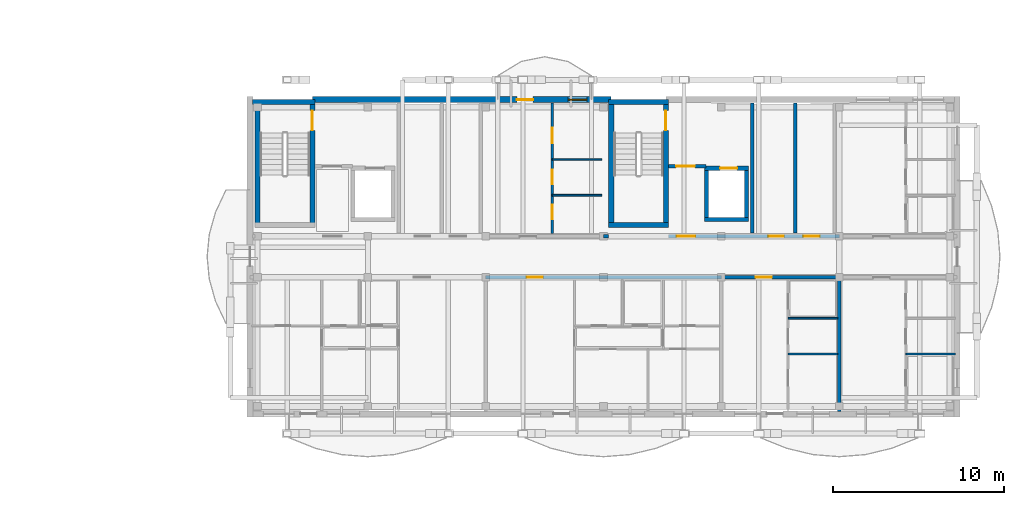
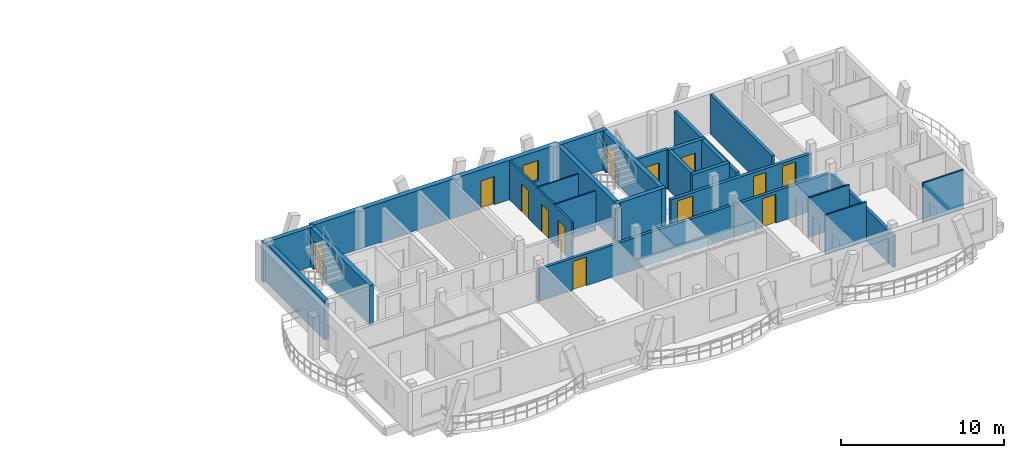
# One storey, part 28 of 44: 26 walls, 13 doors, 1 window, 14 openings.
"""IFC4 building model written with IfcOpenShell, lengths in metres."""

from ifc_helpers import new_model, si_unit, direction, frame, frame_2d, origin, origin_with_axes, place, context, subcontext, project, spatial, rectangle, extrude, material, layer, layer_set, type_object, element, fill, save


model = new_model("IFC4")

# Units and contexts
model_context = context("Model", 3, precision=1e-05, world=origin(), true_north=direction((0.0, 1.0)))
body_context = subcontext(model_context, "Body", "Model", "MODEL_VIEW")
ifc_project = project(units=[si_unit("LENGTHUNIT", "METRE"), si_unit("AREAUNIT", "SQUARE_METRE"), si_unit("VOLUMEUNIT", "CUBIC_METRE"), si_unit("PLANEANGLEUNIT", "RADIAN"), si_unit("MASSUNIT", "GRAM", prefix="KILO")], contexts=[model_context])

# Site, building, storey
site_placement = place(None, origin())
site = spatial("IfcSite", under=ifc_project, at=site_placement, CompositionType="ELEMENT")
building_placement = place(site_placement, origin())
building = spatial("IfcBuilding", under=site, at=building_placement, Name="Zavelmont Quarter", CompositionType="ELEMENT")
storey_placement = place(building_placement, frame((0.0, 0.0, 20.800048828125)))
storey = spatial("IfcBuildingStorey", under=building, at=storey_placement, Name="L06", CompositionType="ELEMENT", Elevation=20.800048828125)

# Wall, openings, door, window
ifc_material_1 = material(Name="Natural Belgian limestone", Category="masonry")
ifc_layer_1 = layer(ifc_material_1, 0.340087890625)
ifc_layer_set_1 = layer_set([ifc_layer_1], Name="Natural Belgian limestone")
wall_type_1 = type_object("IfcWallType", Name="EW03", PredefinedType="STANDARD", material=ifc_layer_set_1)
wall_1_placement = place(storey_placement, frame((130.25, 18.39990234375, 0.0), z_axis=(0.0, 0.0, 1.0), x_axis=(1.0, 0.0, 0.0)))
wall_1 = element("IfcWall", 1, at=wall_1_placement, inside=storey, type_object=wall_type_1, Name="L06 exterior limestone wall EW03", PredefinedType="STANDARD", context=body_context, shape_type="SweptSolid", body=[
    extrude(rectangle(XDim=17.5, YDim=0.340087890625, at=frame_2d((8.75, 0.0))), origin(), (0.0, 0.0, 1.0), 2.949951171875),
])
opening_1_placement = place(wall_1_placement, frame((11.980712890625, 0.0, 0.0)))
opening_1 = element("IfcOpeningElement", 2, at=opening_1_placement, cuts=wall_1, Name="Opening DR04", PredefinedType="OPENING", context=body_context, shape_type="SweptSolid", body=[
    extrude(rectangle(XDim=0.949951171875, YDim=2.10009765625, at=frame_2d((0.47509765625, 1.050048828125))), frame((0.0, 0.18212890625, 0.0), z_axis=(0.0, -1.0, 0.0), x_axis=(1.0, 0.0, 0.0)), (0.0, 0.0, 1.0), 0.364013671875),
])
opening_2_placement = place(wall_1_placement, frame((14.969970703125, 0.0, 0.719970703125)))
opening_2 = element("IfcOpeningElement", 3, at=opening_2_placement, cuts=wall_1, Name="Opening WN09", PredefinedType="OPENING", context=body_context, shape_type="SweptSolid", body=[
    extrude(rectangle(XDim=1.10009765625, YDim=1.5, at=frame_2d((0.550048828125, 0.75))), frame((0.0, 0.18212890625, 0.0), z_axis=(0.0, -1.0, 0.0), x_axis=(1.0, 0.0, 0.0)), (0.0, 0.0, 1.0), 0.364013671875),
])
ifc_material_2 = material(Name="Thermally broken aluminium and double safety glass", Category="aluminium")
door_type_1 = type_object("IfcDoorType", Name="DR04", OperationType="NOTDEFINED", PredefinedType="DOOR", material=ifc_material_2)
door_1_placement = place(opening_1_placement, frame((0.949951171875, 0.0, 0.0), z_axis=(0.0, 0.0, 1.0), x_axis=(-1.0, 0.0, 0.0)))
door_1 = element("IfcDoor", 4, at=door_1_placement, inside=storey, type_object=door_type_1, Name="Block D L06 glazed balcony door", OperationType="SINGLE_SWING_LEFT", OverallHeight=2.10009765625, OverallWidth=0.949951171875, PredefinedType="DOOR", context=body_context, shape_type="SweptSolid", body=[
    extrude(rectangle(XDim=0.949951171875, YDim=2.10009765625, at=frame_2d((0.47509765625, 1.050048828125))), frame((0.0, 0.02490234375, 0.0), z_axis=(0.0, -1.0, 0.0), x_axis=(1.0, 0.0, 0.0)), (0.0, 0.0, 1.0), 0.050048828125),
])
fill(opening_1, door_1)
ifc_material_3 = material(Name="Double low-E insulated glazing in thermally broken aluminium frame", Category="aluminium")
window_type = type_object("IfcWindowType", Name="WN09", PartitioningType="SINGLE_PANEL", PredefinedType="WINDOW", material=ifc_material_3)
window_placement = place(opening_2_placement, origin_with_axes())
window = element("IfcWindow", 5, at=window_placement, inside=storey, type_object=window_type, Name="L06 window WN09", OverallHeight=1.5, OverallWidth=1.10009765625, PartitioningType="SINGLE_PANEL", PredefinedType="WINDOW", context=body_context, shape_type="SweptSolid", body=[
    extrude(rectangle(XDim=1.10009765625, YDim=1.5, at=frame_2d((0.550048828125, 0.75))), frame((0.0, 0.030029296875, 0.0), z_axis=(0.0, -1.0, 0.0), x_axis=(1.0, 0.0, 0.0)), (0.0, 0.0, 1.0), 0.06005859375),
])
fill(opening_2, window)

# Wall
ifc_material_4 = material(Name="Calcium-silicate blockwork and acoustic plaster", Category="masonry")
ifc_layer_2 = layer(ifc_material_4, 0.199951171875)
ifc_layer_set_2 = layer_set([ifc_layer_2], Name="Calcium-silicate blockwork and acoustic plaster")
wall_type_2 = type_object("IfcWallType", Name="IW01", PredefinedType="PARTITIONING", material=ifc_layer_set_2)
wall_2_placement = place(storey_placement, frame((158.52490234375, 10.60009765625, 0.0), z_axis=(0.0, 0.0, 1.0), x_axis=(0.0, 1.0, 0.0)))
element("IfcWall", 6, at=wall_2_placement, inside=storey, type_object=wall_type_2, Name="L06 Service riser divider wall IW01", PredefinedType="PARTITIONING", context=body_context, shape_type="SweptSolid", body=[
    extrude(rectangle(XDim=7.599853515625, YDim=0.199951171875, at=frame_2d((3.7998046875, 0.0))), origin(), (0.0, 0.0, 1.0), 2.949951171875),
])

# Wall, opening, door
wall_3_placement = place(storey_placement, frame((140.39990234375, 8.0, 0.0), z_axis=(0.0, 0.0, 1.0), x_axis=(1.0, 0.0, 0.0)))
wall_3 = element("IfcWall", 7, at=wall_3_placement, inside=storey, type_object=wall_type_2, Name="L06 Corridor compartment wall IW01", PredefinedType="PARTITIONING", context=body_context, shape_type="SweptSolid", body=[
    extrude(rectangle(XDim=13.800048828125, YDim=0.199951171875, at=frame_2d((6.89990234375, 0.0))), origin(), (0.0, 0.0, 1.0), 2.389892578125),
])
opening_3_placement = place(wall_3_placement, frame((2.39990234375, 0.0, 0.0)))
opening_3 = element("IfcOpeningElement", 8, at=opening_3_placement, cuts=wall_3, Name="Opening DR02", PredefinedType="OPENING", context=body_context, shape_type="SweptSolid", body=[
    extrude(rectangle(XDim=0.949951171875, YDim=2.14990234375, at=frame_2d((0.47509765625, 1.074951171875))), frame((0.0, 0.11181640625, 0.0), z_axis=(0.0, -1.0, 0.0), x_axis=(1.0, 0.0, 0.0)), (0.0, 0.0, 1.0), 0.223876953125),
])
ifc_material_5 = material(Name="Solid-core oak fire leaf in steel frame", Category="steel")
door_type_2 = type_object("IfcDoorType", Name="DR02", OperationType="NOTDEFINED", PredefinedType="DOOR", material=ifc_material_5)
door_2_placement = place(opening_3_placement, frame((0.949951171875, 0.0, 0.0), z_axis=(0.0, 0.0, 1.0), x_axis=(-1.0, 0.0, 0.0)))
door_2 = element("IfcDoor", 9, at=door_2_placement, inside=storey, type_object=door_type_2, Name="L06 door DR02", OperationType="SINGLE_SWING_LEFT", OverallHeight=2.14990234375, OverallWidth=0.949951171875, PredefinedType="DOOR", context=body_context, shape_type="SweptSolid", body=[
    extrude(rectangle(XDim=0.949951171875, YDim=2.14990234375, at=frame_2d((0.47509765625, 1.074951171875))), frame((0.0, 0.02490234375, 0.0), z_axis=(0.0, -1.0, 0.0), x_axis=(1.0, 0.0, 0.0)), (0.0, 0.0, 1.0), 0.050048828125),
])
fill(opening_3, door_2)

# Wall
wall_4_placement = place(storey_placement, frame((161.10009765625, 7.85009765625, 0.0), z_axis=(0.0, 0.0, 1.0), x_axis=(0.0, -1.0, 0.0)))
element("IfcWall", 10, at=wall_4_placement, inside=storey, type_object=wall_type_2, Name="L06 Inter-dwelling compartment wall IW01", PredefinedType="PARTITIONING", context=body_context, shape_type="SweptSolid", body=[
    extrude(rectangle(XDim=7.7001953125, YDim=0.199951171875, at=frame_2d((3.85009765625, 0.0))), origin(), (0.0, 0.0, 1.0), 2.389892578125),
])

# Wall, opening, door
wall_5_placement = place(storey_placement, frame((154.199951171875, 8.0, 0.0), z_axis=(0.0, 0.0, 1.0), x_axis=(1.0, 0.0, 0.0)))
wall_5 = element("IfcWall", 11, at=wall_5_placement, inside=storey, type_object=wall_type_2, Name="L06 Corridor compartment wall IW01", PredefinedType="PARTITIONING", context=body_context, shape_type="SweptSolid", body=[
    extrude(rectangle(XDim=6.900146484375, YDim=0.199951171875, at=frame_2d((3.4501953125, 0.0))), origin(), (0.0, 0.0, 1.0), 2.389892578125),
])
opening_4_placement = place(wall_5_placement, frame((2.0, 0.0, 0.0)))
opening_4 = element("IfcOpeningElement", 12, at=opening_4_placement, cuts=wall_5, Name="Opening DR02", PredefinedType="OPENING", context=body_context, shape_type="SweptSolid", body=[
    extrude(rectangle(XDim=0.949951171875, YDim=2.14990234375, at=frame_2d((0.47509765625, 1.074951171875))), frame((0.0, 0.11181640625, 0.0), z_axis=(0.0, -1.0, 0.0), x_axis=(1.0, 0.0, 0.0)), (0.0, 0.0, 1.0), 0.223876953125),
])
door_3_placement = place(opening_4_placement, frame((0.949951171875, 0.0, 0.0), z_axis=(0.0, 0.0, 1.0), x_axis=(-1.0, 0.0, 0.0)))
door_3 = element("IfcDoor", 13, at=door_3_placement, inside=storey, type_object=door_type_2, Name="L06 door DR02", OperationType="SINGLE_SWING_RIGHT", OverallHeight=2.14990234375, OverallWidth=0.949951171875, PredefinedType="DOOR", context=body_context, shape_type="SweptSolid", body=[
    extrude(rectangle(XDim=0.949951171875, YDim=2.14990234375, at=frame_2d((0.47509765625, 1.074951171875))), frame((0.0, 0.02490234375, 0.0), z_axis=(0.0, -1.0, 0.0), x_axis=(1.0, 0.0, 0.0)), (0.0, 0.0, 1.0), 0.050048828125),
])
fill(opening_4, door_3)

# Wall
ifc_material_6 = material(Name="Reinforced masonry fire compartment wall", Category="masonry")
ifc_layer_3 = layer(ifc_material_6, 0.22509765625)
ifc_layer_set_3 = layer_set([ifc_layer_3], Name="Reinforced masonry fire compartment wall")
wall_type_3 = type_object("IfcWallType", Name="IW02", PredefinedType="PARTITIONING", material=ifc_layer_set_3)
wall_6_placement = place(storey_placement, frame((156.010009765625, 10.60009765625, 0.0), z_axis=(0.0, 0.0, 1.0), x_axis=(0.0, 1.0, 0.0)))
element("IfcWall", 14, at=wall_6_placement, inside=storey, type_object=wall_type_3, Name="L06 Firefighting lobby enclosure wall IW02", PredefinedType="PARTITIONING", context=body_context, shape_type="SweptSolid", body=[
    extrude(rectangle(XDim=7.599853515625, YDim=0.22509765625, at=frame_2d((3.7998046875, 0.0))), origin(), (0.0, 0.0, 1.0), 2.58984375),
])

# Wall, opening, door
wall_7_placement = place(storey_placement, frame((151.10009765625, 14.5, 0.0), z_axis=(0.0, 0.0, 1.0), x_axis=(1.0, 0.0, 0.0)))
wall_7 = element("IfcWall", 15, at=wall_7_placement, inside=storey, type_object=wall_type_3, Name="L06 Firefighting lobby threshold wall IW02", PredefinedType="PARTITIONING", context=body_context, shape_type="SweptSolid", body=[
    extrude(rectangle(XDim=2.199951171875, YDim=0.22509765625, at=frame_2d((1.10009765625, 0.0))), origin(), (0.0, 0.0, 1.0), 2.949951171875),
])
opening_5_placement = place(wall_7_placement, frame((0.449951171875, 0.0, 0.0)))
opening_5 = element("IfcOpeningElement", 16, at=opening_5_placement, cuts=wall_7, Name="Opening DR10", PredefinedType="OPENING", context=body_context, shape_type="SweptSolid", body=[
    extrude(rectangle(XDim=1.10009765625, YDim=2.14990234375, at=frame_2d((0.550048828125, 1.074951171875))), frame((0.0, 0.12451171875, 0.0), z_axis=(0.0, -1.0, 0.0), x_axis=(1.0, 0.0, 0.0)), (0.0, 0.0, 1.0), 0.2490234375),
])
ifc_material_7 = material(Name="Painted steel lobby fire door", Category="steel")
door_type_3 = type_object("IfcDoorType", Name="DR10", OperationType="NOTDEFINED", PredefinedType="DOOR", material=ifc_material_7)
door_4_placement = place(opening_5_placement, origin_with_axes())
door_4 = element("IfcDoor", 17, at=door_4_placement, inside=storey, type_object=door_type_3, Name="Firefighting lobby fire door", OperationType="SINGLE_SWING_LEFT", OverallHeight=2.14990234375, OverallWidth=1.10009765625, PredefinedType="DOOR", context=body_context, shape_type="SweptSolid", body=[
    extrude(rectangle(XDim=1.10009765625, YDim=2.14990234375, at=frame_2d((0.550048828125, 1.074951171875))), frame((0.0, 0.02490234375, 0.0), z_axis=(0.0, -1.0, 0.0), x_axis=(1.0, 0.0, 0.0)), (0.0, 0.0, 1.0), 0.050048828125),
])
fill(opening_5, door_4)

# Wall
wall_8_placement = place(storey_placement, frame((147.300048828125, 10.39990234375, 0.0), z_axis=(0.0, 0.0, 1.0), x_axis=(1.0, 0.0, 0.0)))
element("IfcWall", 18, at=wall_8_placement, inside=storey, type_object=wall_type_3, Name="L06 Core corridor wall IW02", PredefinedType="PARTITIONING", context=body_context, shape_type="SweptSolid", body=[
    extrude(rectangle(XDim=0.300048828125, YDim=0.22509765625, at=frame_2d((0.14990234375, 0.0))), origin(), (0.0, 0.0, 1.0), 2.949951171875),
])

# Wall, openings, doors
wall_9_placement = place(storey_placement, frame((151.10009765625, 10.39990234375, 0.0), z_axis=(0.0, 0.0, 1.0), x_axis=(1.0, 0.0, 0.0)))
wall_9 = element("IfcWall", 19, at=wall_9_placement, inside=storey, type_object=wall_type_3, Name="L06 Core corridor fire wall IW02", PredefinedType="PARTITIONING", context=body_context, shape_type="SweptSolid", body=[
    extrude(rectangle(XDim=10.0, YDim=0.22509765625, at=frame_2d((5.0, 0.0))), origin(), (0.0, 0.0, 1.0), 2.389892578125),
])
opening_6_placement = place(wall_9_placement, frame((0.47509765625, 0.0, 0.0)))
opening_6 = element("IfcOpeningElement", 20, at=opening_6_placement, cuts=wall_9, Name="Opening DR10", PredefinedType="OPENING", context=body_context, shape_type="SweptSolid", body=[
    extrude(rectangle(XDim=1.10009765625, YDim=2.14990234375, at=frame_2d((0.550048828125, 1.074951171875))), frame((0.0, 0.12451171875, 0.0), z_axis=(0.0, -1.0, 0.0), x_axis=(1.0, 0.0, 0.0)), (0.0, 0.0, 1.0), 0.2490234375),
])
opening_7_placement = place(wall_9_placement, frame((5.85009765625, 0.0, 0.0)))
opening_7 = element("IfcOpeningElement", 21, at=opening_7_placement, cuts=wall_9, Name="Opening DR11", PredefinedType="OPENING", context=body_context, shape_type="SweptSolid", body=[
    extrude(rectangle(XDim=0.89990234375, YDim=2.10009765625, at=frame_2d((0.449951171875, 1.050048828125))), frame((0.0, 0.12451171875, 0.0), z_axis=(0.0, -1.0, 0.0), x_axis=(1.0, 0.0, 0.0)), (0.0, 0.0, 1.0), 0.2490234375),
])
opening_8_placement = place(wall_9_placement, frame((7.89990234375, 0.0, 0.0)))
opening_8 = element("IfcOpeningElement", 22, at=opening_8_placement, cuts=wall_9, Name="Opening DR02", PredefinedType="OPENING", context=body_context, shape_type="SweptSolid", body=[
    extrude(rectangle(XDim=0.949951171875, YDim=2.14990234375, at=frame_2d((0.47509765625, 1.074951171875))), frame((0.0, 0.12451171875, 0.0), z_axis=(0.0, -1.0, 0.0), x_axis=(1.0, 0.0, 0.0)), (0.0, 0.0, 1.0), 0.2490234375),
])
door_5_placement = place(opening_8_placement, frame((0.949951171875, 0.0, 0.0), z_axis=(0.0, 0.0, 1.0), x_axis=(-1.0, 0.0, 0.0)))
door_5 = element("IfcDoor", 23, at=door_5_placement, inside=storey, type_object=door_type_2, Name="Auxiliary store corridor door", OperationType="SINGLE_SWING_RIGHT", OverallHeight=2.14990234375, OverallWidth=0.949951171875, PredefinedType="DOOR", context=body_context, shape_type="SweptSolid", body=[
    extrude(rectangle(XDim=0.949951171875, YDim=2.14990234375, at=frame_2d((0.47509765625, 1.074951171875))), frame((0.0, 0.02490234375, 0.0), z_axis=(0.0, -1.0, 0.0), x_axis=(1.0, 0.0, 0.0)), (0.0, 0.0, 1.0), 0.050048828125),
])
fill(opening_8, door_5)
door_6_placement = place(opening_6_placement, origin_with_axes())
door_6 = element("IfcDoor", 24, at=door_6_placement, inside=storey, type_object=door_type_3, Name="Core vestibule fire door", OperationType="SINGLE_SWING_RIGHT", OverallHeight=2.14990234375, OverallWidth=1.10009765625, PredefinedType="DOOR", context=body_context, shape_type="SweptSolid", body=[
    extrude(rectangle(XDim=1.10009765625, YDim=2.14990234375, at=frame_2d((0.550048828125, 1.074951171875))), frame((0.0, 0.02490234375, 0.0), z_axis=(0.0, -1.0, 0.0), x_axis=(1.0, 0.0, 0.0)), (0.0, 0.0, 1.0), 0.050048828125),
])
fill(opening_6, door_6)
ifc_material_8 = material(Name="Painted steel service-riser fire door", Category="steel")
door_type_4 = type_object("IfcDoorType", Name="DR11", OperationType="NOTDEFINED", PredefinedType="DOOR", material=ifc_material_8)
door_7_placement = place(opening_7_placement, frame((0.89990234375, 0.0, 0.0), z_axis=(0.0, 0.0, 1.0), x_axis=(-1.0, 0.0, 0.0)))
door_7 = element("IfcDoor", 25, at=door_7_placement, inside=storey, type_object=door_type_4, Name="Service riser fire door", OperationType="SINGLE_SWING_LEFT", OverallHeight=2.10009765625, OverallWidth=0.89990234375, PredefinedType="DOOR", context=body_context, shape_type="SweptSolid", body=[
    extrude(rectangle(XDim=0.89990234375, YDim=2.10009765625, at=frame_2d((0.449951171875, 1.050048828125))), frame((0.0, 0.02490234375, 0.0), z_axis=(0.0, -1.0, 0.0), x_axis=(1.0, 0.0, 0.0)), (0.0, 0.0, 1.0), 0.050048828125),
])
fill(opening_7, door_7)

ifc_material_9 = material(Name="Double gypsum board on acoustic steel stud", Category="steel")
ifc_layer_4 = layer(ifc_material_9, 0.125)
ifc_layer_set_4 = layer_set([ifc_layer_4], Name="Double gypsum board on acoustic steel stud")
wall_type_4 = type_object("IfcWallType", Name="IW03", PredefinedType="PARTITIONING", material=ifc_layer_set_4)
wall_10_placement = place(storey_placement, frame((144.300048828125, 10.550048828125, 0.0), z_axis=(0.0, 0.0, 1.0), x_axis=(0.0, 1.0, 0.0)))
wall_10 = element("IfcWall", 26, at=wall_10_placement, inside=storey, type_object=wall_type_4, Name="L06 Partition IW03", PredefinedType="PARTITIONING", context=body_context, shape_type="SweptSolid", body=[
    extrude(rectangle(XDim=7.64990234375, YDim=0.125, at=frame_2d((3.824951171875, 0.0))), origin(), (0.0, 0.0, 1.0), 2.949951171875),
])
opening_9_placement = place(wall_10_placement, frame((0.85009765625, 0.0, 0.0)))
opening_9 = element("IfcOpeningElement", 27, at=opening_9_placement, cuts=wall_10, Name="Opening DR16", PredefinedType="OPENING", context=body_context, shape_type="SweptSolid", body=[
    extrude(rectangle(XDim=0.85009765625, YDim=2.10009765625, at=frame_2d((0.425048828125, 1.050048828125))), frame((0.0, 0.074462890625, 0.0), z_axis=(0.0, -1.0, 0.0), x_axis=(1.0, 0.0, 0.0)), (0.0, 0.0, 1.0), 0.14892578125),
])
opening_10_placement = place(wall_10_placement, frame((2.89990234375, 0.0, 0.0)))
opening_10 = element("IfcOpeningElement", 28, at=opening_10_placement, cuts=wall_10, Name="Opening DR06", PredefinedType="OPENING", context=body_context, shape_type="SweptSolid", body=[
    extrude(rectangle(XDim=0.85009765625, YDim=2.050048828125, at=frame_2d((0.425048828125, 1.02490234375))), frame((0.0, 0.074462890625, 0.0), z_axis=(0.0, -1.0, 0.0), x_axis=(1.0, 0.0, 0.0)), (0.0, 0.0, 1.0), 0.14892578125),
])
opening_11_placement = place(wall_10_placement, frame((5.300048828125, 0.0, 0.0)))
opening_11 = element("IfcOpeningElement", 29, at=opening_11_placement, cuts=wall_10, Name="Opening DR05", PredefinedType="OPENING", context=body_context, shape_type="SweptSolid", body=[
    extrude(rectangle(XDim=0.89990234375, YDim=2.10009765625, at=frame_2d((0.449951171875, 1.050048828125))), frame((0.0, 0.074462890625, 0.0), z_axis=(0.0, -1.0, 0.0), x_axis=(1.0, 0.0, 0.0)), (0.0, 0.0, 1.0), 0.14892578125),
])
ifc_material_10 = material(Name="Engineered oak flush interior door")
door_type_5 = type_object("IfcDoorType", Name="DR05", OperationType="NOTDEFINED", PredefinedType="DOOR", material=ifc_material_10)
door_8_placement = place(opening_11_placement, origin_with_axes())
door_8 = element("IfcDoor", 30, at=door_8_placement, inside=storey, type_object=door_type_5, Name="L06 door DR05", OperationType="SINGLE_SWING_RIGHT", OverallHeight=2.10009765625, OverallWidth=0.89990234375, PredefinedType="DOOR", context=body_context, shape_type="SweptSolid", body=[
    extrude(rectangle(XDim=0.89990234375, YDim=2.10009765625, at=frame_2d((0.449951171875, 1.050048828125))), frame((0.0, 0.02490234375, 0.0), z_axis=(0.0, -1.0, 0.0), x_axis=(1.0, 0.0, 0.0)), (0.0, 0.0, 1.0), 0.050048828125),
])
fill(opening_11, door_8)
ifc_material_11 = material(Name="Moisture-resistant painted wet-room door")
door_type_6 = type_object("IfcDoorType", Name="DR06", OperationType="NOTDEFINED", PredefinedType="DOOR", material=ifc_material_11)
door_9_placement = place(opening_10_placement, frame((0.85009765625, 0.0, 0.0), z_axis=(0.0, 0.0, 1.0), x_axis=(-1.0, 0.0, 0.0)))
door_9 = element("IfcDoor", 31, at=door_9_placement, inside=storey, type_object=door_type_6, Name="L06 door DR06", OperationType="SINGLE_SWING_LEFT", OverallHeight=2.050048828125, OverallWidth=0.85009765625, PredefinedType="DOOR", context=body_context, shape_type="SweptSolid", body=[
    extrude(rectangle(XDim=0.85009765625, YDim=2.050048828125, at=frame_2d((0.425048828125, 1.02490234375))), frame((0.0, 0.02490234375, 0.0), z_axis=(0.0, -1.0, 0.0), x_axis=(1.0, 0.0, 0.0)), (0.0, 0.0, 1.0), 0.050048828125),
])
fill(opening_10, door_9)
door_type_7 = type_object("IfcDoorType", Name="DR16", OperationType="NOTDEFINED", PredefinedType="DOOR", material=ifc_material_10)
door_10_placement = place(opening_9_placement, origin_with_axes())
door_10 = element("IfcDoor", 32, at=door_10_placement, inside=storey, type_object=door_type_7, Name="L06 door DR16", OperationType="SINGLE_SWING_RIGHT", OverallHeight=2.10009765625, OverallWidth=0.85009765625, PredefinedType="DOOR", context=body_context, shape_type="SweptSolid", body=[
    extrude(rectangle(XDim=0.85009765625, YDim=2.10009765625, at=frame_2d((0.425048828125, 1.050048828125))), frame((0.0, 0.02490234375, 0.0), z_axis=(0.0, -1.0, 0.0), x_axis=(1.0, 0.0, 0.0)), (0.0, 0.0, 1.0), 0.050048828125),
])
fill(opening_9, door_10)

# Walls
ifc_material_12 = material(Name="Moisture-resistant gypsum board on steel stud", Category="steel")
ifc_layer_5 = layer(ifc_material_12, 0.10009765625)
ifc_layer_set_5 = layer_set([ifc_layer_5], Name="Moisture-resistant gypsum board on steel stud")
wall_type_5 = type_object("IfcWallType", Name="IW04", PredefinedType="PARTITIONING", material=ifc_layer_set_5)
for number, where, z_axis, x_axis, name in (
    (33, (158.10009765625, 5.60009765625, 0.0), (0.0, 0.0, 1.0), (1.0, 0.0, 0.0), "L06 Partition IW04"),
    (34, (158.10009765625, 3.5, 0.0), (0.0, 0.0, 1.0), (1.0, 0.0, 0.0), "L06 Partition IW04"),
    (35, (165.0, 3.5, 0.0), (0.0, 0.0, 1.0), (1.0, 0.0, 0.0), "L06 Partition IW04"),
    (36, (144.300048828125, 12.800048828125, 0.0), (0.0, 0.0, 1.0), (1.0, 0.0, 0.0), "L06 Partition IW04"),
    (37, (144.300048828125, 14.89990234375, 0.0), (0.0, 0.0, 1.0), (1.0, 0.0, 0.0), "L06 Partition IW04"),
):
    element("IfcWall", number, at=place(storey_placement, frame(where, z_axis=z_axis, x_axis=x_axis)), inside=storey, type_object=wall_type_5, Name=name, PredefinedType="PARTITIONING", context=body_context, shape_type="SweptSolid", body=[
        extrude(rectangle(XDim=2.89990234375, YDim=0.10009765625, at=frame_2d((1.449951171875, 0.0))), origin(), (0.0, 0.0, 1.0), 2.949951171875),
    ])
ifc_material_13 = material(Name="Concrete C40/50", Category="concrete")
ifc_layer_6 = layer(ifc_material_13, 0.300048828125)
ifc_layer_set_6 = layer_set([ifc_layer_6], Name="Concrete C40/50")
wall_type_6 = type_object("IfcWallType", Name="SW01", PredefinedType="SHEAR", material=ifc_layer_set_6)
wall_11_placement = place(storey_placement, frame((127.050048828125, 10.89990234375, 0.0), z_axis=(0.0, 0.0, 1.0), x_axis=(0.0, 1.0, 0.0)))
element("IfcWall", 38, at=wall_11_placement, inside=storey, type_object=wall_type_6, Name="L06 ST07 west shear wall SW01", PredefinedType="SHEAR", context=body_context, shape_type="SweptSolid", body=[
    extrude(rectangle(XDim=7.5, YDim=0.300048828125, at=frame_2d((3.75, 0.0))), origin(), (0.0, 0.0, 1.0), 2.949951171875),
])

# Wall, opening, door
wall_12_placement = place(storey_placement, frame((130.25, 10.89990234375, 0.0), z_axis=(0.0, 0.0, 1.0), x_axis=(0.0, 1.0, 0.0)))
wall_12 = element("IfcWall", 39, at=wall_12_placement, inside=storey, type_object=wall_type_6, Name="L06 ST07 lobby shear wall SW01", PredefinedType="SHEAR", context=body_context, shape_type="SweptSolid", body=[
    extrude(rectangle(XDim=7.5, YDim=0.300048828125, at=frame_2d((3.75, 0.0))), origin(), (0.0, 0.0, 1.0), 2.949951171875),
])
opening_12_placement = place(wall_12_placement, frame((5.699951171875, 0.0, 0.0)))
opening_12 = element("IfcOpeningElement", 40, at=opening_12_placement, cuts=wall_12, Name="Opening DR09", PredefinedType="OPENING", context=body_context, shape_type="SweptSolid", body=[
    extrude(rectangle(XDim=1.14990234375, YDim=2.14990234375, at=frame_2d((0.574951171875, 1.074951171875))), frame((0.0, 0.162109375, 0.0), z_axis=(0.0, -1.0, 0.0), x_axis=(1.0, 0.0, 0.0)), (0.0, 0.0, 1.0), 0.323974609375),
])
ifc_material_14 = material(Name="Painted steel stair-core fire door", Category="steel")
door_type_8 = type_object("IfcDoorType", Name="DR09", OperationType="NOTDEFINED", PredefinedType="DOOR", material=ifc_material_14)
door_11_placement = place(opening_12_placement, origin_with_axes())
door_11 = element("IfcDoor", 41, at=door_11_placement, inside=storey, type_object=door_type_8, Name="ST07 protected stair door", OperationType="SINGLE_SWING_LEFT", OverallHeight=2.14990234375, OverallWidth=1.14990234375, PredefinedType="DOOR", context=body_context, shape_type="SweptSolid", body=[
    extrude(rectangle(XDim=1.14990234375, YDim=2.14990234375, at=frame_2d((0.574951171875, 1.074951171875))), frame((0.0, 0.02490234375, 0.0), z_axis=(0.0, -1.0, 0.0), x_axis=(1.0, 0.0, 0.0)), (0.0, 0.0, 1.0), 0.050048828125),
])
fill(opening_12, door_11)

# Walls
wall_13_placement = place(storey_placement, frame((147.60009765625, 11.050048828125, 0.0), z_axis=(0.0, 0.0, 1.0), x_axis=(1.0, 0.0, 0.0)))
element("IfcWall", 42, at=wall_13_placement, inside=storey, type_object=wall_type_6, Name="L06 ST08 corridor shear wall SW01", PredefinedType="SHEAR", context=body_context, shape_type="SweptSolid", body=[
    extrude(rectangle(XDim=3.5, YDim=0.300048828125, at=frame_2d((1.75, 0.0))), origin(), (0.0, 0.0, 1.0), 2.949951171875),
])
wall_14_placement = place(storey_placement, frame((147.75, 10.89990234375, 0.0), z_axis=(0.0, 0.0, 1.0), x_axis=(0.0, 1.0, 0.0)))
element("IfcWall", 43, at=wall_14_placement, inside=storey, type_object=wall_type_6, Name="L06 ST08 west shear wall SW01", PredefinedType="SHEAR", context=body_context, shape_type="SweptSolid", body=[
    extrude(rectangle(XDim=7.5, YDim=0.300048828125, at=frame_2d((3.75, 0.0))), origin(), (0.0, 0.0, 1.0), 2.949951171875),
])

# Wall, opening, door
wall_15_placement = place(storey_placement, frame((150.949951171875, 10.89990234375, 0.0), z_axis=(0.0, 0.0, 1.0), x_axis=(0.0, 1.0, 0.0)))
wall_15 = element("IfcWall", 44, at=wall_15_placement, inside=storey, type_object=wall_type_6, Name="L06 ST08 lobby shear wall SW01", PredefinedType="SHEAR", context=body_context, shape_type="SweptSolid", body=[
    extrude(rectangle(XDim=7.5, YDim=0.300048828125, at=frame_2d((3.75, 0.0))), origin(), (0.0, 0.0, 1.0), 2.949951171875),
])
opening_13_placement = place(wall_15_placement, frame((5.699951171875, 0.0, 0.0)))
opening_13 = element("IfcOpeningElement", 45, at=opening_13_placement, cuts=wall_15, Name="Opening DR09", PredefinedType="OPENING", context=body_context, shape_type="SweptSolid", body=[
    extrude(rectangle(XDim=1.14990234375, YDim=2.14990234375, at=frame_2d((0.574951171875, 1.074951171875))), frame((0.0, 0.162109375, 0.0), z_axis=(0.0, -1.0, 0.0), x_axis=(1.0, 0.0, 0.0)), (0.0, 0.0, 1.0), 0.323974609375),
])
door_12_placement = place(opening_13_placement, origin_with_axes())
door_12 = element("IfcDoor", 46, at=door_12_placement, inside=storey, type_object=door_type_8, Name="ST08 protected stair door", OperationType="SINGLE_SWING_LEFT", OverallHeight=2.14990234375, OverallWidth=1.14990234375, PredefinedType="DOOR", context=body_context, shape_type="SweptSolid", body=[
    extrude(rectangle(XDim=1.14990234375, YDim=2.14990234375, at=frame_2d((0.574951171875, 1.074951171875))), frame((0.0, 0.02490234375, 0.0), z_axis=(0.0, -1.0, 0.0), x_axis=(1.0, 0.0, 0.0)), (0.0, 0.0, 1.0), 0.050048828125),
])
fill(opening_13, door_12)

ifc_layer_7 = layer(ifc_material_13, 0.25)
ifc_layer_set_7 = layer_set([ifc_layer_7], Name="Concrete C40/50")
wall_type_7 = type_object("IfcWallType", Name="SW02", PredefinedType="SHEAR", material=ifc_layer_set_7)
wall_16_placement = place(storey_placement, frame((153.199951171875, 14.375, 0.0), z_axis=(0.0, 0.0, 1.0), x_axis=(1.0, 0.0, 0.0)))
wall_16 = element("IfcWall", 47, at=wall_16_placement, inside=storey, type_object=wall_type_7, Name="L06 Lift LF08 landing shaft wall SW02", PredefinedType="SHEAR", context=body_context, shape_type="SweptSolid", body=[
    extrude(rectangle(XDim=2.60009765625, YDim=0.25, at=frame_2d((1.300048828125, 0.0))), origin(), (0.0, 0.0, 1.0), 2.949951171875),
])
opening_14_placement = place(wall_16_placement, frame((0.925048828125, 0.0, 0.0)))
opening_14 = element("IfcOpeningElement", 48, at=opening_14_placement, cuts=wall_16, Name="Opening LD01", PredefinedType="OPENING", context=body_context, shape_type="SweptSolid", body=[
    extrude(rectangle(XDim=1.0, YDim=2.10009765625, at=frame_2d((0.5, 1.050048828125))), frame((0.0, 0.136962890625, 0.0), z_axis=(0.0, -1.0, 0.0), x_axis=(1.0, 0.0, 0.0)), (0.0, 0.0, 1.0), 0.27392578125),
])
ifc_material_15 = material(Name="Brushed stainless-steel automatic sliding landing door", Category="steel")
door_type_9 = type_object("IfcDoorType", Name="LD01", OperationType="SLIDING_TO_LEFT", PredefinedType="DOOR", material=ifc_material_15)
door_13_placement = place(opening_14_placement, origin_with_axes())
door_13 = element("IfcDoor", 49, at=door_13_placement, inside=storey, type_object=door_type_9, Name="Lift LF08 sliding landing door", OperationType="SLIDING_TO_LEFT", OverallHeight=2.10009765625, OverallWidth=1.0, PredefinedType="DOOR", context=body_context, shape_type="SweptSolid", body=[
    extrude(rectangle(XDim=1.0, YDim=2.10009765625, at=frame_2d((0.5, 1.050048828125))), frame((0.0, 0.02490234375, 0.0), z_axis=(0.0, -1.0, 0.0), x_axis=(1.0, 0.0, 0.0)), (0.0, 0.0, 1.0), 0.050048828125),
])
fill(opening_14, door_13)

# Walls
wall_17_placement = place(storey_placement, frame((153.199951171875, 11.375, 0.0), z_axis=(0.0, 0.0, 1.0), x_axis=(1.0, 0.0, 0.0)))
element("IfcWall", 50, at=wall_17_placement, inside=storey, type_object=wall_type_7, Name="L06 Lift LF08 back shaft wall SW02", PredefinedType="SHEAR", context=body_context, shape_type="SweptSolid", body=[
    extrude(rectangle(XDim=2.60009765625, YDim=0.25, at=frame_2d((1.300048828125, 0.0))), origin(), (0.0, 0.0, 1.0), 2.949951171875),
])
for number, where, z_axis, x_axis, name in (
    (51, (153.324951171875, 11.25, 0.0), (0.0, 0.0, 1.0), (0.0, 1.0, 0.0), "L06 Lift LF08 west shaft wall SW02"),
    (52, (155.675048828125, 11.25, 0.0), (0.0, 0.0, 1.0), (0.0, 1.0, 0.0), "L06 Lift LF08 east shaft wall SW02"),
):
    element("IfcWall", number, at=place(storey_placement, frame(where, z_axis=z_axis, x_axis=x_axis)), inside=storey, type_object=wall_type_7, Name=name, PredefinedType="SHEAR", context=body_context, shape_type="SweptSolid", body=[
        extrude(rectangle(XDim=3.25, YDim=0.25, at=frame_2d((1.625, 0.0))), origin(), (0.0, 0.0, 1.0), 2.949951171875),
    ])
ifc_layer_8 = layer(ifc_material_13, 0.300048828125)
ifc_layer_set_8 = layer_set([ifc_layer_8], Name="Concrete C40/50")
wall_type_8 = type_object("IfcWallType", Name="SW03", PredefinedType="SHEAR", material=ifc_layer_set_8)
wall_18_placement = place(storey_placement, frame((126.75, 18.25, 0.0), z_axis=(0.0, 0.0, 1.0), x_axis=(1.0, 0.0, 0.0)))
element("IfcWall", 53, at=wall_18_placement, inside=storey, type_object=wall_type_8, Name="L06 ST07 outer shear wall SW03", PredefinedType="SHEAR", context=body_context, shape_type="SweptSolid", body=[
    extrude(rectangle(XDim=3.64990234375, YDim=0.300048828125, at=frame_2d((1.824951171875, 0.0))), origin(), (0.0, 0.0, 1.0), 2.949951171875),
])
wall_19_placement = place(storey_placement, frame((147.60009765625, 18.25, 0.0), z_axis=(0.0, 0.0, 1.0), x_axis=(1.0, 0.0, 0.0)))
element("IfcWall", 54, at=wall_19_placement, inside=storey, type_object=wall_type_8, Name="L06 ST08 outer shear wall SW03", PredefinedType="SHEAR", context=body_context, shape_type="SweptSolid", body=[
    extrude(rectangle(XDim=3.5, YDim=0.300048828125, at=frame_2d((1.75, 0.0))), origin(), (0.0, 0.0, 1.0), 2.949951171875),
])

save(model, "model.ifc")
